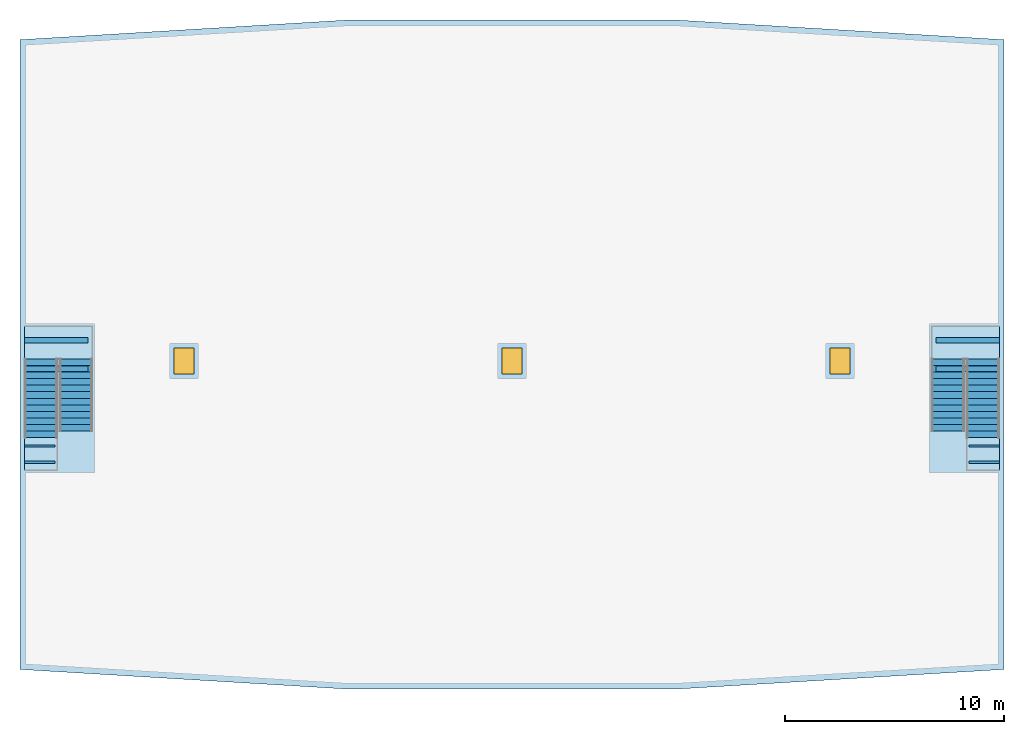
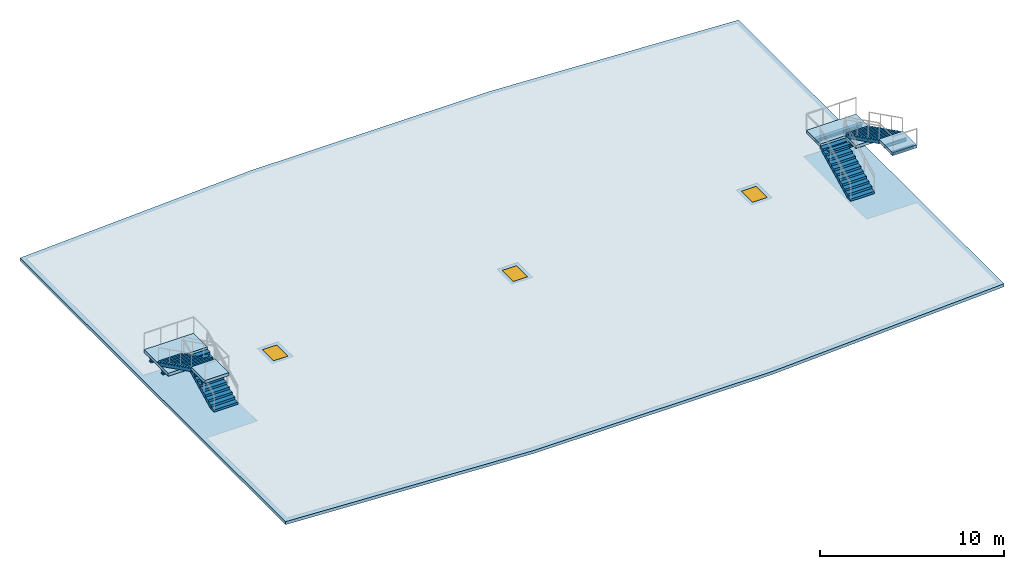
"""IFC4 building model written with IfcOpenShell, lengths in metres."""

from ifc_helpers import new_model, si_unit, direction, frame, origin, origin_2d, place, context, subcontext, project, spatial, polyline, rectangle, i_section, outline, extrude, material, layer, layer_set, material_profile, profile_set, type_object, element, fill, aggregate, save


model = new_model("IFC4")

# Units and contexts
model_context = context("Model", 3, precision=1e-05, world=origin(), true_north=direction((0.0, 1.0)))
body_context = subcontext(model_context, "Body", "Model", "MODEL_VIEW")
ifc_project = project(units=[si_unit("LENGTHUNIT", "METRE"), si_unit("AREAUNIT", "SQUARE_METRE"), si_unit("VOLUMEUNIT", "CUBIC_METRE"), si_unit("PLANEANGLEUNIT", "RADIAN"), si_unit("MASSUNIT", "GRAM", prefix="KILO")], contexts=[model_context])

# Site, building, storey
site_placement = place(None, origin())
site = spatial("IfcSite", under=ifc_project, at=site_placement, CompositionType="ELEMENT")
building_placement = place(site_placement, origin())
building = spatial("IfcBuilding", under=site, at=building_placement, Name="Azimuth Sports and Learning Centre", CompositionType="ELEMENT")
storey_1_placement = place(building_placement, frame((0.0, 0.0, 79.199951171875)))
storey_1 = spatial("IfcBuildingStorey", under=building, at=storey_1_placement, Name="ROOF", CompositionType="ELEMENT", Elevation=79.199951171875)

# Beams
ifc_material_1 = material(Name="Steel S355", Category="steel")
ifc_material_profile_1 = material_profile(ifc_material_1, i_section(OverallWidth=0.239990234375, OverallDepth=0.22998046875, WebThickness=0.007568359375, FlangeThickness=0.011962890625, FilletRadius=0.02099609375, at=origin_2d()), Name="HEA 240")
ifc_profile_set_1 = profile_set([ifc_material_profile_1], Name="Steel S355")
beam_type_1 = type_object("IfcBeamType", Name="Beam HEA 240", PredefinedType="BEAM", material=ifc_profile_set_1)
for number, where, z_axis, x_axis, name in (
    (1, (63.199951171875, 103.14990234375, 1.485107421875), (1.0, 0.0, 0.0), (0.0, 1.0, 0.0), "Landing bracket RS1 ROOF 1195"),
    (2, (63.199951171875, 104.449951171875, 1.485107421875), (1.0, 0.0, 0.0), (0.0, 1.0, 0.0), "Landing bracket RS1 ROOF 1196"),
    (3, (107.800048828125, 103.14990234375, 1.485107421875), (-1.0, 0.0, 0.0), (0.0, -1.0, 0.0), "Landing bracket RS2 ROOF 1199"),
    (4, (107.800048828125, 104.449951171875, 1.485107421875), (-1.0, 0.0, 0.0), (0.0, -1.0, 0.0), "Landing bracket RS2 ROOF 1200"),
):
    element("IfcBeam", number, at=place(storey_1_placement, frame(where, z_axis=z_axis, x_axis=x_axis)), inside=storey_1, type_object=beam_type_1, Name=name, PredefinedType="BEAM", context=body_context, shape_type="SweptSolid", body=[
        extrude(i_section(OverallWidth=0.239990234375, OverallDepth=0.22998046875, WebThickness=0.007568359375, FlangeThickness=0.011962890625, FilletRadius=0.02099609375, at=origin_2d()), origin(), (0.0, 0.0, 1.0), 2.91015625),
    ])
ifc_material_2 = material(Name="Steel S355", Category="steel")
ifc_material_profile_2 = material_profile(ifc_material_2, i_section(OverallWidth=0.10009765625, OverallDepth=0.199951171875, WebThickness=0.005615234375, FlangeThickness=0.008544921875, FilletRadius=0.011962890625, at=origin_2d()), Name="IPE 200")
ifc_profile_set_2 = profile_set([ifc_material_profile_2], Name="Steel S355")
beam_type_2 = type_object("IfcBeamType", Name="Beam IPE 200", PredefinedType="BEAM", material=ifc_profile_set_2)
for number, where, z_axis, x_axis, name in (
    (5, (63.199951171875, 98.875244140625, 3.449951171875), (1.0, 0.0, 0.0), (0.0, 1.0, 0.0), "Landing bracket RS1 ROOF 1197"),
    (6, (63.199951171875, 99.62548828125, 3.449951171875), (1.0, 0.0, 0.0), (0.0, 1.0, 0.0), "Landing bracket RS1 ROOF 1198"),
    (7, (107.800048828125, 98.875244140625, 3.449951171875), (-1.0, 0.0, 0.0), (0.0, -1.0, 0.0), "Landing bracket RS2 ROOF 1201"),
    (8, (107.800048828125, 99.62548828125, 3.449951171875), (-1.0, 0.0, 0.0), (0.0, -1.0, 0.0), "Landing bracket RS2 ROOF 1202"),
):
    element("IfcBeam", number, at=place(storey_1_placement, frame(where, z_axis=z_axis, x_axis=x_axis)), inside=storey_1, type_object=beam_type_2, Name=name, PredefinedType="BEAM", context=body_context, shape_type="SweptSolid", body=[
        extrude(i_section(OverallWidth=0.10009765625, OverallDepth=0.199951171875, WebThickness=0.005615234375, FlangeThickness=0.008544921875, FilletRadius=0.011962890625, at=origin_2d()), origin(), (0.0, 0.0, 1.0), 1.41015625),
    ])

# Stair, slabs
ifc_material_3 = material(Name="Concrete C32/40", Category="concrete")
stair_type = type_object("IfcStairType", Name="Roof access stair 3750 rise", PredefinedType="TWO_QUARTER_TURN_STAIR", material=ifc_material_3)
stair_1_placement = place(storey_1_placement, origin())
stair_1 = element("IfcStair", 9, at=stair_1_placement, inside=storey_1, type_object=stair_type, Name="Stair RS1 ROOF-CROWN", PredefinedType="TWO_QUARTER_TURN_STAIR")
ifc_material_4 = material(Name="Concrete C32/40", Category="concrete")
ifc_layer_1 = layer(ifc_material_4, 0.199951171875)
ifc_layer_set_1 = layer_set([ifc_layer_1], Name="Concrete C32/40")
slab_type_1 = type_object("IfcSlabType", Name="Concrete stair landing", PredefinedType="LANDING", material=ifc_layer_set_1)
slab_1_placement = place(storey_1_placement, frame((0.0, 0.0, 1.60009765625)))
slab_1 = element("IfcSlab", 10, at=slab_1_placement, type_object=slab_type_1, Name="Stair RS1 ROOF landing 1", PredefinedType="LANDING", context=body_context, shape_type="SweptSolid", body=[
    extrude(outline(polyline([(63.2099609375, 102.5), (64.7099609375, 102.5), (64.7099609375, 103.599365234375), (66.31005859375, 103.599365234375), (66.31005859375, 105.10009765625), (63.2099609375, 105.10009765625), (63.2099609375, 102.5)])), origin(), (0.0, 0.0, 1.0), 0.199951171875),
])
slab_2_placement = place(storey_1_placement, frame((0.0, 0.0, 3.550048828125)))
slab_2 = element("IfcSlab", 11, at=slab_2_placement, type_object=slab_type_1, Name="Stair RS1 ROOF landing 2", PredefinedType="LANDING", context=body_context, shape_type="SweptSolid", body=[
    extrude(outline(polyline([(63.2099609375, 98.5), (64.7099609375, 98.5), (64.7099609375, 100.000732421875), (63.2099609375, 100.000732421875), (63.2099609375, 98.5)])), origin(), (0.0, 0.0, 1.0), 0.199951171875),
])

stair_2_placement = place(storey_1_placement, origin())
stair_2 = element("IfcStair", 12, at=stair_2_placement, inside=storey_1, type_object=stair_type, Name="Stair RS2 ROOF-CROWN", PredefinedType="TWO_QUARTER_TURN_STAIR")
slab_3_placement = place(storey_1_placement, frame((0.0, 0.0, 1.60009765625)))
slab_3 = element("IfcSlab", 13, at=slab_3_placement, type_object=slab_type_1, Name="Stair RS2 ROOF landing 1", PredefinedType="LANDING", context=body_context, shape_type="SweptSolid", body=[
    extrude(outline(polyline([(107.7900390625, 105.10009765625), (104.68994140625, 105.10009765625), (104.68994140625, 103.599365234375), (106.2900390625, 103.599365234375), (106.2900390625, 102.5), (107.7900390625, 102.5), (107.7900390625, 105.10009765625)])), origin(), (0.0, 0.0, 1.0), 0.199951171875),
])
slab_4_placement = place(storey_1_placement, frame((0.0, 0.0, 3.550048828125)))
slab_4 = element("IfcSlab", 14, at=slab_4_placement, type_object=slab_type_1, Name="Stair RS2 ROOF landing 2", PredefinedType="LANDING", context=body_context, shape_type="SweptSolid", body=[
    extrude(outline(polyline([(107.7900390625, 100.000732421875), (106.2900390625, 100.000732421875), (106.2900390625, 98.5), (107.7900390625, 98.5), (107.7900390625, 100.000732421875)])), origin(), (0.0, 0.0, 1.0), 0.199951171875),
])

# Slab, openings
ifc_material_5 = material(Name="Concrete C30/37", Category="concrete")
ifc_layer_2 = layer(ifc_material_5, 0.199951171875)
ifc_layer_set_2 = layer_set([ifc_layer_2], Name="Concrete C30/37")
slab_type_2 = type_object("IfcSlabType", Name="Tower roof slab 200", PredefinedType="ROOF", material=ifc_layer_set_2)
slab_5_placement = place(storey_1_placement, frame((0.0, 0.0, -0.199951171875)))
slab_5 = element("IfcSlab", 15, at=slab_5_placement, inside=storey_1, type_object=slab_type_2, Name="Slab ROOF", PredefinedType="ROOF", context=body_context, shape_type="SweptSolid", body=[
    extrude(outline(polyline([(78.0, 88.5), (93.0, 88.5), (108.0, 89.39990234375), (108.0, 118.199951171875), (93.0, 119.10009765625), (78.0, 119.10009765625), (63.0, 118.199951171875), (63.0, 89.39990234375), (78.0, 88.5)])), origin(), (0.0, 0.0, 1.0), 0.199951171875),
])
opening_1_placement = place(slab_5_placement, frame((70.5, 103.5, 0.0)))
opening_1 = element("IfcOpeningElement", 16, at=opening_1_placement, cuts=slab_5, Name="Opening RL17-001", PredefinedType="OPENING", context=body_context, shape_type="SweptSolid", body=[
    extrude(rectangle(XDim=0.89990234375, YDim=1.199951171875, at=origin_2d()), frame((0.0, 0.0, -0.010986328125)), (0.0, 0.0, 1.0), 0.221923828125),
])
opening_2_placement = place(slab_5_placement, frame((85.5, 103.5, 0.0)))
opening_2 = element("IfcOpeningElement", 17, at=opening_2_placement, cuts=slab_5, Name="Opening RL17-002", PredefinedType="OPENING", context=body_context, shape_type="SweptSolid", body=[
    extrude(rectangle(XDim=0.89990234375, YDim=1.199951171875, at=origin_2d()), frame((0.0, 0.0, -0.010986328125)), (0.0, 0.0, 1.0), 0.221923828125),
])
opening_3_placement = place(slab_5_placement, frame((100.5, 103.5, 0.0)))
opening_3 = element("IfcOpeningElement", 18, at=opening_3_placement, cuts=slab_5, Name="Opening RL17-003", PredefinedType="OPENING", context=body_context, shape_type="SweptSolid", body=[
    extrude(rectangle(XDim=0.89990234375, YDim=1.199951171875, at=origin_2d()), frame((0.0, 0.0, -0.010986328125)), (0.0, 0.0, 1.0), 0.221923828125),
])

# Storey
storey_2_placement = place(building_placement, frame((0.0, 0.0, 75.300048828125)))
storey_2 = spatial("IfcBuildingStorey", under=building, at=storey_2_placement, Name="L17", CompositionType="ELEMENT", Elevation=75.300048828125)

# Window
ifc_material_6 = material(Name="Steel", Category="steel")
window_type = type_object("IfcWindowType", Name="Roof access hatch 900x1200", PartitioningType="SINGLE_PANEL", PredefinedType="SKYLIGHT", material=ifc_material_6)
window_1_placement = place(opening_1_placement, frame((0.0, 0.0, 0.14990234375)))
window_1 = element("IfcWindow", 19, at=window_1_placement, inside=storey_2, type_object=window_type, Name="Roof access hatch RL17-001", OverallHeight=1.199951171875, OverallWidth=0.89990234375, PartitioningType="SINGLE_PANEL", PredefinedType="SKYLIGHT", context=body_context, shape_type="SweptSolid", body=[
    extrude(rectangle(XDim=0.89990234375, YDim=1.199951171875, at=origin_2d()), origin(), (0.0, 0.0, 1.0), 0.050048828125),
])

fill(opening_1, window_1)

window_2_placement = place(opening_2_placement, frame((0.0, 0.0, 0.14990234375)))
window_2 = element("IfcWindow", 20, at=window_2_placement, inside=storey_2, type_object=window_type, Name="Roof access hatch RL17-002", OverallHeight=1.199951171875, OverallWidth=0.89990234375, PartitioningType="SINGLE_PANEL", PredefinedType="SKYLIGHT", context=body_context, shape_type="SweptSolid", body=[
    extrude(rectangle(XDim=0.89990234375, YDim=1.199951171875, at=origin_2d()), origin(), (0.0, 0.0, 1.0), 0.050048828125),
])

fill(opening_2, window_2)

window_3_placement = place(opening_3_placement, frame((0.0, 0.0, 0.14990234375)))
window_3 = element("IfcWindow", 21, at=window_3_placement, inside=storey_2, type_object=window_type, Name="Roof access hatch RL17-003", OverallHeight=1.199951171875, OverallWidth=0.89990234375, PartitioningType="SINGLE_PANEL", PredefinedType="SKYLIGHT", context=body_context, shape_type="SweptSolid", body=[
    extrude(rectangle(XDim=0.89990234375, YDim=1.199951171875, at=origin_2d()), origin(), (0.0, 0.0, 1.0), 0.050048828125),
])

fill(opening_3, window_3)

# Stair flight
ifc_material_7 = material(Name="Concrete C32/40", Category="concrete")
stair_flight_type_1 = type_object("IfcStairFlightType", Name="Stair flight 12 risers", PredefinedType="STRAIGHT", material=ifc_material_7)
stair_flight_1_placement = place(storey_1_placement, frame((65.56005859375, 100.300048828125, 0.0), z_axis=(0.0, 0.0, 1.0), x_axis=(0.0, 1.0, 0.0)))
stair_flight_1 = element("IfcStairFlight", 22, at=stair_flight_1_placement, type_object=stair_flight_type_1, Name="Stair RS1 ROOF flight 1", NumberOfRisers=12, NumberOfTreads=11, PredefinedType="STRAIGHT", RiserHeight=0.15, TreadLength=0.3, context=body_context, shape_type="SweptSolid", body=[
    extrude(outline(polyline([(0.0, 0.0), (0.0, 0.14990234375), (0.300048828125, 0.14990234375), (0.300048828125, 0.300048828125), (0.60009765625, 0.300048828125), (0.60009765625, 0.449951171875), (0.89990234375, 0.449951171875), (0.89990234375, 0.60009765625), (1.199951171875, 0.60009765625), (1.199951171875, 0.75), (1.5, 0.75), (1.5, 0.89990234375), (1.800048828125, 0.89990234375), (1.800048828125, 1.050048828125), (2.10009765625, 1.050048828125), (2.10009765625, 1.199951171875), (2.39990234375, 1.199951171875), (2.39990234375, 1.35009765625), (2.699951171875, 1.35009765625), (2.699951171875, 1.5), (3.0, 1.5), (3.0, 1.64990234375), (3.300048828125, 1.64990234375), (3.300048828125, 1.800048828125), (3.300048828125, 1.482421875), (0.335205078125, 0.0), (0.0, 0.0)])), frame((0.0, 0.75, 0.0), z_axis=(0.0, -1.0, 0.0), x_axis=(1.0, 0.0, 0.0)), (0.0, 0.0, 1.0), 1.5),
])

stair_flight_2_placement = place(storey_1_placement, frame((105.43994140625, 100.300048828125, 0.0), z_axis=(0.0, 0.0, 1.0), x_axis=(0.0, 1.0, 0.0)))
stair_flight_2 = element("IfcStairFlight", 23, at=stair_flight_2_placement, type_object=stair_flight_type_1, Name="Stair RS2 ROOF flight 1", NumberOfRisers=12, NumberOfTreads=11, PredefinedType="STRAIGHT", RiserHeight=0.15, TreadLength=0.3, context=body_context, shape_type="SweptSolid", body=[
    extrude(outline(polyline([(0.0, 0.0), (0.0, 0.14990234375), (0.300048828125, 0.14990234375), (0.300048828125, 0.300048828125), (0.60009765625, 0.300048828125), (0.60009765625, 0.449951171875), (0.89990234375, 0.449951171875), (0.89990234375, 0.60009765625), (1.199951171875, 0.60009765625), (1.199951171875, 0.75), (1.5, 0.75), (1.5, 0.89990234375), (1.800048828125, 0.89990234375), (1.800048828125, 1.050048828125), (2.10009765625, 1.050048828125), (2.10009765625, 1.199951171875), (2.39990234375, 1.199951171875), (2.39990234375, 1.35009765625), (2.699951171875, 1.35009765625), (2.699951171875, 1.5), (3.0, 1.5), (3.0, 1.64990234375), (3.300048828125, 1.64990234375), (3.300048828125, 1.800048828125), (3.300048828125, 1.482421875), (0.335205078125, 0.0), (0.0, 0.0)])), frame((0.0, 0.75, 0.0), z_axis=(0.0, -1.0, 0.0), x_axis=(1.0, 0.0, 0.0)), (0.0, 0.0, 1.0), 1.5),
])

ifc_material_8 = material(Name="Concrete C32/40", Category="concrete")
stair_flight_type_2 = type_object("IfcStairFlightType", Name="Stair flight 13 risers", PredefinedType="STRAIGHT", material=ifc_material_8)
stair_flight_3_placement = place(storey_1_placement, frame((63.9599609375, 103.60009765625, 1.800048828125), z_axis=(0.0, 0.0, 1.0), x_axis=(0.0, -1.0, 0.0)))
stair_flight_3 = element("IfcStairFlight", 24, at=stair_flight_3_placement, type_object=stair_flight_type_2, Name="Stair RS1 ROOF flight 2", NumberOfRisers=13, NumberOfTreads=12, PredefinedType="STRAIGHT", RiserHeight=0.15, TreadLength=0.3, context=body_context, shape_type="SweptSolid", body=[
    extrude(outline(polyline([(0.0, 0.0), (0.0, 0.14990234375), (0.300048828125, 0.14990234375), (0.300048828125, 0.300048828125), (0.60009765625, 0.300048828125), (0.60009765625, 0.449951171875), (0.89990234375, 0.449951171875), (0.89990234375, 0.60009765625), (1.199951171875, 0.60009765625), (1.199951171875, 0.75), (1.5, 0.75), (1.5, 0.89990234375), (1.800048828125, 0.89990234375), (1.800048828125, 1.050048828125), (2.10009765625, 1.050048828125), (2.10009765625, 1.199951171875), (2.39990234375, 1.199951171875), (2.39990234375, 1.35009765625), (2.699951171875, 1.35009765625), (2.699951171875, 1.5), (3.0, 1.5), (3.0, 1.64990234375), (3.300048828125, 1.64990234375), (3.300048828125, 1.800048828125), (3.60009765625, 1.800048828125), (3.60009765625, 1.949951171875), (3.60009765625, 1.63232421875), (0.335205078125, 0.0), (0.0, 0.0)])), frame((0.0, 0.75, 0.0), z_axis=(0.0, -1.0, 0.0), x_axis=(1.0, 0.0, 0.0)), (0.0, 0.0, 1.0), 1.5),
])

aggregate(stair_1, [stair_flight_1, stair_flight_3, slab_1, slab_2])

stair_flight_4_placement = place(storey_1_placement, frame((107.0400390625, 103.60009765625, 1.800048828125), z_axis=(0.0, 0.0, 1.0), x_axis=(0.0, -1.0, 0.0)))
stair_flight_4 = element("IfcStairFlight", 25, at=stair_flight_4_placement, type_object=stair_flight_type_2, Name="Stair RS2 ROOF flight 2", NumberOfRisers=13, NumberOfTreads=12, PredefinedType="STRAIGHT", RiserHeight=0.15, TreadLength=0.3, context=body_context, shape_type="SweptSolid", body=[
    extrude(outline(polyline([(0.0, 0.0), (0.0, 0.14990234375), (0.300048828125, 0.14990234375), (0.300048828125, 0.300048828125), (0.60009765625, 0.300048828125), (0.60009765625, 0.449951171875), (0.89990234375, 0.449951171875), (0.89990234375, 0.60009765625), (1.199951171875, 0.60009765625), (1.199951171875, 0.75), (1.5, 0.75), (1.5, 0.89990234375), (1.800048828125, 0.89990234375), (1.800048828125, 1.050048828125), (2.10009765625, 1.050048828125), (2.10009765625, 1.199951171875), (2.39990234375, 1.199951171875), (2.39990234375, 1.35009765625), (2.699951171875, 1.35009765625), (2.699951171875, 1.5), (3.0, 1.5), (3.0, 1.64990234375), (3.300048828125, 1.64990234375), (3.300048828125, 1.800048828125), (3.60009765625, 1.800048828125), (3.60009765625, 1.949951171875), (3.60009765625, 1.63232421875), (0.335205078125, 0.0), (0.0, 0.0)])), frame((0.0, 0.75, 0.0), z_axis=(0.0, -1.0, 0.0), x_axis=(1.0, 0.0, 0.0)), (0.0, 0.0, 1.0), 1.5),
])

aggregate(stair_2, [stair_flight_2, stair_flight_4, slab_3, slab_4])

save(model, "model.ifc")
